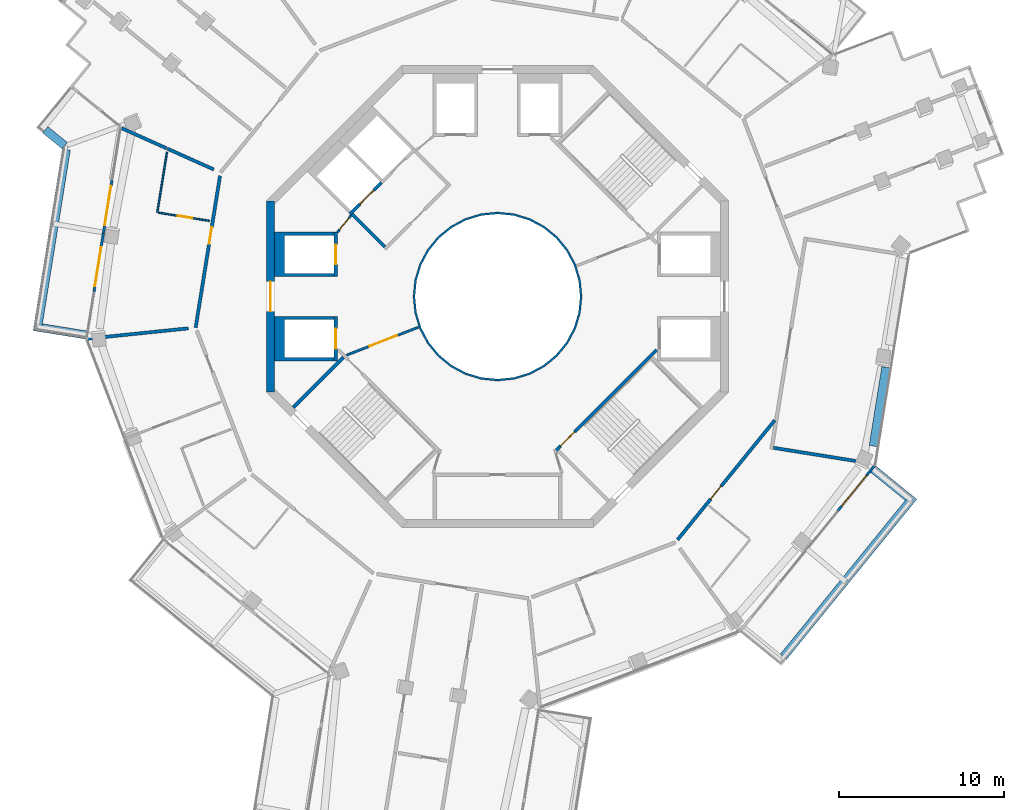
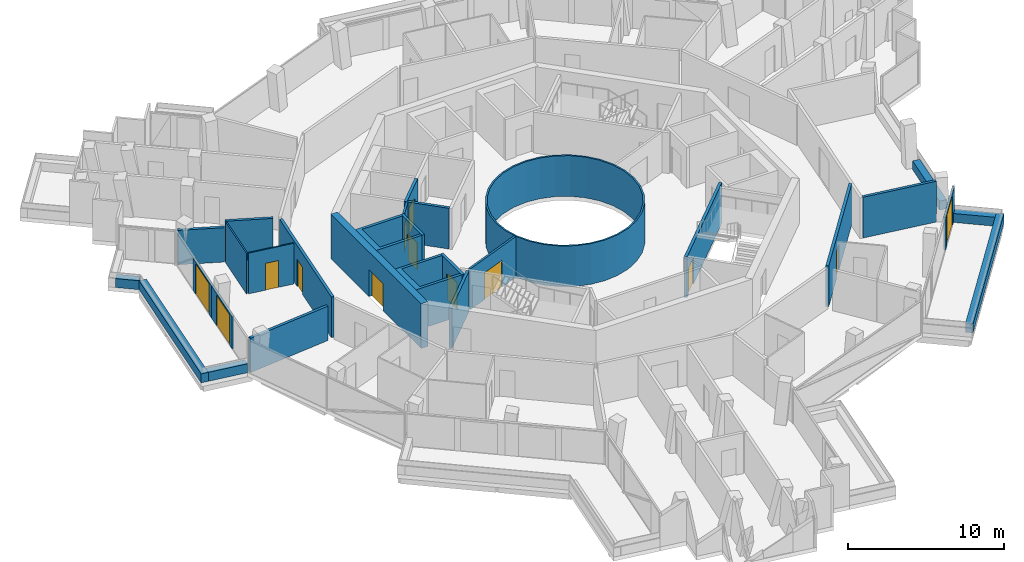
# One storey, part 17 of 23: 29 walls, 13 doors, 13 openings.
"""IFC4 building model written with IfcOpenShell, lengths in metres."""

from ifc_helpers import new_model, si_unit, direction, frame, frame_2d, origin, place, context, subcontext, project, spatial, polyline, rectangle, outline, extrude, material, layer, layer_set, type_object, element, fill, save


model = new_model("IFC4")

# Units and contexts
model_context = context("Model", 3, precision=1e-05, world=origin(), true_north=direction((0.0, 1.0)))
body_context = subcontext(model_context, "Body", "Model", "MODEL_VIEW")
ifc_project = project(units=[si_unit("LENGTHUNIT", "METRE"), si_unit("AREAUNIT", "SQUARE_METRE"), si_unit("VOLUMEUNIT", "CUBIC_METRE"), si_unit("PLANEANGLEUNIT", "RADIAN"), si_unit("MASSUNIT", "GRAM", prefix="KILO")], contexts=[model_context])

# Site, building, storey
site_placement = place(None, origin())
site = spatial("IfcSite", under=ifc_project, at=site_placement, CompositionType="ELEMENT")
building_placement = place(site_placement, origin())
building = spatial("IfcBuilding", under=site, at=building_placement, Name="Verdalira Terraces Hotel", CompositionType="ELEMENT")
storey_placement = place(building_placement, frame((0.0, 0.0, 241.0)))
storey = spatial("IfcBuildingStorey", under=building, at=storey_placement, Name="L59", CompositionType="ELEMENT", Elevation=241.0)

# Walls
ifc_material_1 = material(Name="Fire-resisting glass EI 180", Category="glass")
ifc_layer_1 = layer(ifc_material_1, 0.1201171875)
ifc_layer_set_1 = layer_set([ifc_layer_1], Name="Atrium fire screen 120 mm")
wall_type_1 = type_object("IfcWallType", Name="Atrium fire screen 120 mm", PredefinedType="SOLIDWALL", material=ifc_layer_set_1)
wall_1_placement = place(storey_placement, origin())
element("IfcWall", 1, at=wall_1_placement, inside=storey, type_object=wall_type_1, Name="Atrium fire screen", PredefinedType="SOLIDWALL", context=body_context, shape_type="SweptSolid", body=[
    extrude(outline(polyline([(5.021484, -0.998779), (4.730225, -1.959229), (4.25708, -2.844482), (3.620361, -3.620361), (2.844482, -4.25708), (1.959229, -4.730225), (0.998779, -5.021484), (0.0, -5.120117), (-0.998779, -5.021484), (-1.959229, -4.730225), (-2.844482, -4.25708), (-3.620361, -3.620361), (-4.25708, -2.844482), (-4.730225, -1.959229), (-5.021484, -0.998779), (-5.120117, 0.0), (-5.021484, 0.998779), (-4.730225, 1.959229), (-4.25708, 2.844482), (-3.620361, 3.620361), (-2.844482, 4.25708), (-1.959229, 4.730225), (-0.998779, 5.021484), (0.0, 5.120117), (0.998779, 5.021484), (1.959229, 4.730225), (2.844482, 4.25708), (3.620361, 3.620361), (4.25708, 2.844482), (4.730225, 1.959229), (5.021484, 0.998779), (5.120117, 0.0), (5.021484, -0.998779)]), holes=[polyline([(4.903809, 0.975586), (4.619385, 1.91333), (4.157227, 2.777832), (3.5354, 3.5354), (2.777832, 4.157227), (1.91333, 4.619385), (0.975586, 4.903809), (0.0, 5.0), (-0.975586, 4.903809), (-1.91333, 4.619385), (-2.777832, 4.157227), (-3.5354, 3.5354), (-4.157227, 2.777832), (-4.619385, 1.91333), (-4.903809, 0.975586), (-5.0, 0.0), (-4.903809, -0.975586), (-4.619385, -1.91333), (-4.157227, -2.777832), (-3.5354, -3.5354), (-2.777832, -4.157227), (-1.91333, -4.619385), (-0.975586, -4.903809), (0.0, -5.0), (0.975586, -4.903809), (1.91333, -4.619385), (2.777832, -4.157227), (3.5354, -3.5354), (4.157227, -2.777832), (4.619385, -1.91333), (4.903809, -0.975586), (5.0, 0.0), (4.903809, 0.975586)])]), origin(), (0.0, 0.0, 1.0), 3.189941),
])
ifc_material_2 = material(Name="Concrete C40", Category="concrete")
ifc_layer_2 = layer(ifc_material_2, 0.5)
ifc_layer_set_2 = layer_set([ifc_layer_2], Name="Balcony planter trough with tree")
wall_type_2 = type_object("IfcWallType", Name="Balcony planter trough with tree", PredefinedType="SOLIDWALL", material=ifc_layer_set_2)
wall_2_placement = place(storey_placement, frame((-27.39917, 10.102051, 0.0), z_axis=(0.0, 0.0, 1.0), x_axis=(0.775829891, -0.630942138, 0.0)))
element("IfcWall", 2, at=wall_2_placement, inside=storey, type_object=wall_type_2, Name="Balcony planter", PredefinedType="SOLIDWALL", context=body_context, shape_type="SweptSolid", body=[
    extrude(rectangle(XDim=1.524902, YDim=0.5, at=frame_2d((0.762451, 0.0))), origin(), (0.0, 0.0, 1.0), 0.699951),
])
wall_3_placement = place(storey_placement, frame((-26.126953, 8.90625, 0.0), z_axis=(0.0, 0.0, 1.0), x_axis=(-0.15849251, -0.98736018, 0.0)))
element("IfcWall", 3, at=wall_3_placement, inside=storey, type_object=wall_type_2, Name="Balcony planter", PredefinedType="SOLIDWALL", context=body_context, shape_type="SweptSolid", body=[
    extrude(rectangle(XDim=11.152344, YDim=0.5, at=frame_2d((5.576172, 0.0))), origin(), (0.0, 0.0, 1.0), 0.699951),
])
wall_4_placement = place(storey_placement, frame((-27.608154, -1.897949, 0.0), z_axis=(0.0, 0.0, 1.0), x_axis=(0.987347321, -0.158572593, 0.0)))
element("IfcWall", 4, at=wall_4_placement, inside=storey, type_object=wall_type_2, Name="Balcony planter", PredefinedType="SOLIDWALL", context=body_context, shape_type="SweptSolid", body=[
    extrude(rectangle(XDim=2.698975, YDim=0.5, at=frame_2d((1.349609, 0.0))), origin(), (0.0, 0.0, 1.0), 0.699951),
])
wall_5_placement = place(storey_placement, frame((17.323242, -21.822021, 0.0), z_axis=(0.0, 0.0, 1.0), x_axis=(0.63094623, 0.775826562, 0.0)))
element("IfcWall", 5, at=wall_5_placement, inside=storey, type_object=wall_type_2, Name="Balcony planter", PredefinedType="SOLIDWALL", context=body_context, shape_type="SweptSolid", body=[
    extrude(rectangle(XDim=12.500244, YDim=0.5, at=frame_2d((6.25, 0.0))), origin(), (0.0, 0.0, 1.0), 0.699951),
])
wall_6_placement = place(storey_placement, frame((24.858398, -12.1604, 0.0), z_axis=(0.0, 0.0, 1.0), x_axis=(-0.775840005, 0.6309297, 0.0)))
element("IfcWall", 6, at=wall_6_placement, inside=storey, type_object=wall_type_2, Name="Balcony planter", PredefinedType="SOLIDWALL", context=body_context, shape_type="SweptSolid", body=[
    extrude(rectangle(XDim=2.698975, YDim=0.5, at=frame_2d((1.349609, 0.0))), origin(), (0.0, 0.0, 1.0), 0.699951),
])
ifc_material_3 = material(Name="Moisture-resistant gypsum board partition")
ifc_layer_3 = layer(ifc_material_3, 0.10009765625)
ifc_layer_set_3 = layer_set([ifc_layer_3], Name="Bathroom partition 100 mm")
wall_type_3 = type_object("IfcWallType", Name="Bathroom partition 100 mm", PredefinedType="PARTITIONING", material=ifc_layer_set_3)
wall_7_placement = place(storey_placement, frame((-20.612305, 5.089844, 0.0), z_axis=(0.0, 0.0, 1.0), x_axis=(0.15852778, 0.987354517, 0.0)))
element("IfcWall", 7, at=wall_7_placement, inside=storey, type_object=wall_type_3, Name="Bathroom partition", PredefinedType="PARTITIONING", context=body_context, shape_type="SweptSolid", body=[
    extrude(rectangle(XDim=3.703857, YDim=0.100098, at=frame_2d((1.852051, 0.0))), origin(), (0.0, 0.0, 1.0), 3.189941),
])

# Wall, opening, door
wall_8_placement = place(storey_placement, frame((-20.513428, 5.073975, 0.0), z_axis=(0.0, 0.0, 1.0), x_axis=(0.987353495, -0.158534146, 0.0)))
wall_8 = element("IfcWall", 8, at=wall_8_placement, inside=storey, type_object=wall_type_3, Name="Bathroom partition", PredefinedType="PARTITIONING", context=body_context, shape_type="SweptSolid", body=[
    extrude(rectangle(XDim=3.100098, YDim=0.100098, at=frame_2d((1.550049, 0.0))), origin(), (0.0, 0.0, 1.0), 3.189941),
])
opening_1_placement = place(wall_8_placement, frame((1.149902, 0.0, 0.0)))
opening_1 = element("IfcOpeningElement", 9, at=opening_1_placement, cuts=wall_8, Name="Opening L59-105", PredefinedType="OPENING", context=body_context, shape_type="SweptSolid", body=[
    extrude(rectangle(XDim=0.899902, YDim=2.100098, at=frame_2d((0.449951, 1.050049))), frame((0.0, 0.060059, 0.0), z_axis=(0.0, -1.0, 0.0), x_axis=(1.0, 0.0, 0.0)), (0.0, 0.0, 1.0), 0.120117),
])
ifc_material_4 = material(Name="Timber door", Category="wood")
door_type_1 = type_object("IfcDoorType", Name="Bathroom door 900 x 2100", OperationType="NOTDEFINED", PredefinedType="DOOR", material=ifc_material_4)
door_1_placement = place(opening_1_placement, origin())
door_1 = element("IfcDoor", 10, at=door_1_placement, inside=storey, type_object=door_type_1, Name="Bathroom door 5902", OperationType="SINGLE_SWING_LEFT", OverallHeight=2.10009765625, OverallWidth=0.89990234375, PredefinedType="DOOR", context=body_context, shape_type="SweptSolid", body=[
    extrude(rectangle(XDim=0.899902, YDim=2.100098, at=frame_2d((0.449951, 1.050049))), frame((0.0, 0.024902, 0.0), z_axis=(0.0, -1.0, 0.0), x_axis=(1.0, 0.0, 0.0)), (0.0, 0.0, 1.0), 0.050049),
])
fill(opening_1, door_1)

# Wall
ifc_material_5 = material(Name="Concrete C50", Category="concrete")
ifc_layer_4 = layer(ifc_material_5, 0.199951171875)
ifc_layer_set_4 = layer_set([ifc_layer_4], Name="Core RC wall 200 C50")
wall_type_4 = type_object("IfcWallType", Name="Core RC wall 200 C50", PredefinedType="SOLIDWALL", material=ifc_layer_set_4)
wall_9_placement = place(storey_placement, origin())
element("IfcWall", 11, at=wall_9_placement, inside=storey, type_object=wall_type_4, Name="L59 shaft wall W1", PredefinedType="SOLIDWALL", context=body_context, shape_type="SweptSolid", body=[
    extrude(outline(polyline([(-13.5, 3.899902), (-9.899902, 3.899902), (-9.899902, 3.699951), (-12.899902, 3.699951), (-12.899902, 1.399902), (-9.899902, 1.399902), (-9.899902, 1.199951), (-13.5, 1.199951), (-13.5, 3.899902)])), origin(), (0.0, 0.0, 1.0), 3.189941),
])

# Wall, opening, door
wall_10_placement = place(storey_placement, frame((-9.800049, 1.199951, 0.0), z_axis=(0.0, 0.0, 1.0), x_axis=(0.0, 1.0, 0.0)))
wall_10 = element("IfcWall", 12, at=wall_10_placement, inside=storey, type_object=wall_type_4, Name="L59 shaft front wall W1", PredefinedType="SOLIDWALL", context=body_context, shape_type="SweptSolid", body=[
    extrude(rectangle(XDim=2.699951, YDim=0.199951, at=frame_2d((1.350098, 0.0))), origin(), (0.0, 0.0, 1.0), 3.189941),
])
opening_2_placement = place(wall_10_placement, frame((0.75, 0.0, 0.0)))
opening_2 = element("IfcOpeningElement", 13, at=opening_2_placement, cuts=wall_10, Name="Opening LD-L59-806", PredefinedType="OPENING", context=body_context, shape_type="SweptSolid", body=[
    extrude(rectangle(XDim=1.199951, YDim=2.100098, at=frame_2d((0.600098, 1.050049))), frame((0.0, 0.109863, 0.0), z_axis=(0.0, -1.0, 0.0), x_axis=(1.0, 0.0, 0.0)), (0.0, 0.0, 1.0), 0.219971),
])
ifc_material_6 = material(Name="Stainless steel", Category="steel")
door_type_2 = type_object("IfcDoorType", Name="Landing door 1200 x 2100", OperationType="NOTDEFINED", PredefinedType="DOOR", material=ifc_material_6)
door_2_placement = place(opening_2_placement, origin())
door_2 = element("IfcDoor", 14, at=door_2_placement, inside=storey, type_object=door_type_2, Name="Lift landing door HR5 L59", OperationType="DOUBLE_DOOR_SLIDING", OverallHeight=2.10009765625, OverallWidth=1.199951171875, PredefinedType="DOOR", context=body_context, shape_type="SweptSolid", body=[
    extrude(rectangle(XDim=1.199951, YDim=2.100098, at=frame_2d((0.600098, 1.050049))), frame((0.0, 0.024902, 0.0), z_axis=(0.0, -1.0, 0.0), x_axis=(1.0, 0.0, 0.0)), (0.0, 0.0, 1.0), 0.050049),
])
fill(opening_2, door_2)

# Wall
wall_11_placement = place(storey_placement, origin())
element("IfcWall", 15, at=wall_11_placement, inside=storey, type_object=wall_type_4, Name="L59 shaft wall W2", PredefinedType="SOLIDWALL", context=body_context, shape_type="SweptSolid", body=[
    extrude(outline(polyline([(-13.5, -3.899902), (-13.5, -1.199951), (-9.899902, -1.199951), (-9.899902, -1.399902), (-12.899902, -1.399902), (-12.899902, -3.699951), (-9.899902, -3.699951), (-9.899902, -3.899902), (-13.5, -3.899902)])), origin(), (0.0, 0.0, 1.0), 3.189941),
])

# Wall, opening, door
wall_12_placement = place(storey_placement, frame((-9.800049, -1.199951, 0.0), z_axis=(0.0, 0.0, 1.0), x_axis=(0.0, -1.0, 0.0)))
wall_12 = element("IfcWall", 16, at=wall_12_placement, inside=storey, type_object=wall_type_4, Name="L59 shaft front wall W2", PredefinedType="SOLIDWALL", context=body_context, shape_type="SweptSolid", body=[
    extrude(rectangle(XDim=2.699951, YDim=0.199951, at=frame_2d((1.350098, 0.0))), origin(), (0.0, 0.0, 1.0), 3.189941),
])
opening_3_placement = place(wall_12_placement, frame((0.75, 0.0, 0.0)))
opening_3 = element("IfcOpeningElement", 17, at=opening_3_placement, cuts=wall_12, Name="Opening LD-L59-807", PredefinedType="OPENING", context=body_context, shape_type="SweptSolid", body=[
    extrude(rectangle(XDim=1.199951, YDim=2.100098, at=frame_2d((0.600098, 1.050049))), frame((0.0, 0.109863, 0.0), z_axis=(0.0, -1.0, 0.0), x_axis=(1.0, 0.0, 0.0)), (0.0, 0.0, 1.0), 0.219971),
])
door_3_placement = place(opening_3_placement, origin())
door_3 = element("IfcDoor", 18, at=door_3_placement, inside=storey, type_object=door_type_2, Name="Lift landing door HR6 L59", OperationType="DOUBLE_DOOR_SLIDING", OverallHeight=2.10009765625, OverallWidth=1.199951171875, PredefinedType="DOOR", context=body_context, shape_type="SweptSolid", body=[
    extrude(rectangle(XDim=1.199951, YDim=2.100098, at=frame_2d((0.600098, 1.050049))), frame((0.0, 0.024902, 0.0), z_axis=(0.0, -1.0, 0.0), x_axis=(1.0, 0.0, 0.0)), (0.0, 0.0, 1.0), 0.050049),
])
fill(opening_3, door_3)

wall_13_placement = place(storey_placement, frame((-7.035645, 6.894287, 0.0), z_axis=(0.0, 0.0, 1.0), x_axis=(-0.707106781, -0.707106781, 0.0)))
wall_13 = element("IfcWall", 19, at=wall_13_placement, inside=storey, type_object=wall_type_4, Name="L59 shaft front wall F2", PredefinedType="SOLIDWALL", context=body_context, shape_type="SweptSolid", body=[
    extrude(rectangle(XDim=2.699951, YDim=0.199951, at=frame_2d((1.350098, 0.0))), origin(), (0.0, 0.0, 1.0), 3.189941),
])
opening_4_placement = place(wall_13_placement, frame((0.649902, 0.0, 0.0)))
opening_4 = element("IfcOpeningElement", 20, at=opening_4_placement, cuts=wall_13, Name="Opening LD-L59-809", PredefinedType="OPENING", context=body_context, shape_type="SweptSolid", body=[
    extrude(rectangle(XDim=1.199951, YDim=2.100098, at=frame_2d((0.600098, 1.050049))), frame((0.0, 0.109863, 0.0), z_axis=(0.0, -1.0, 0.0), x_axis=(1.0, 0.0, 0.0)), (0.0, 0.0, 1.0), 0.219971),
])
door_4_placement = place(opening_4_placement, origin())
door_4 = element("IfcDoor", 21, at=door_4_placement, inside=storey, type_object=door_type_2, Name="Lift landing door LF12 L59", OperationType="DOUBLE_DOOR_SLIDING", OverallHeight=2.10009765625, OverallWidth=1.199951171875, PredefinedType="DOOR", context=body_context, shape_type="SweptSolid", body=[
    extrude(rectangle(XDim=1.199951, YDim=2.100098, at=frame_2d((0.600098, 1.050049))), frame((0.0, 0.024902, 0.0), z_axis=(0.0, -1.0, 0.0), x_axis=(1.0, 0.0, 0.0)), (0.0, 0.0, 1.0), 0.050049),
])
fill(opening_4, door_4)

# Wall
wall_14_placement = place(storey_placement, frame((-9.33374, -3.677002, 0.0), z_axis=(0.0, 0.0, 1.0), x_axis=(-0.707135168, -0.707078393, 0.0)))
element("IfcWall", 22, at=wall_14_placement, inside=storey, type_object=wall_type_4, Name="L59 stair ST2 end wall 1", PredefinedType="SOLIDWALL", context=body_context, shape_type="SweptSolid", body=[
    extrude(rectangle(XDim=4.300049, YDim=0.199951, at=frame_2d((2.149902, 0.0))), origin(), (0.0, 0.0, 1.0), 3.189941),
])

# Wall, opening, door
wall_15_placement = place(storey_placement, frame((9.629395, -3.23999, 0.0), z_axis=(0.0, 0.0, 1.0), x_axis=(-0.707120946, -0.707092617, 0.0)))
wall_15 = element("IfcWall", 23, at=wall_15_placement, inside=storey, type_object=wall_type_4, Name="L59 stair ST3 front wall", PredefinedType="SOLIDWALL", context=body_context, shape_type="SweptSolid", body=[
    extrude(rectangle(XDim=8.61792, YDim=0.199951, at=frame_2d((4.309082, 0.0))), origin(), (0.0, 0.0, 1.0), 3.189941),
])
opening_5_placement = place(wall_15_placement, frame((7.017822, 0.0, 0.0)))
opening_5 = element("IfcOpeningElement", 24, at=opening_5_placement, cuts=wall_15, Name="Opening L59-812", PredefinedType="OPENING", context=body_context, shape_type="SweptSolid", body=[
    extrude(rectangle(XDim=1.199951, YDim=2.100098, at=frame_2d((0.600098, 1.050049))), frame((0.0, 0.109863, 0.0), z_axis=(0.0, -1.0, 0.0), x_axis=(1.0, 0.0, 0.0)), (0.0, 0.0, 1.0), 0.219971),
])
ifc_material_7 = material(Name="Steel fire door", Category="steel")
door_type_3 = type_object("IfcDoorType", Name="Stair door 1200 x 2100", OperationType="NOTDEFINED", PredefinedType="DOOR", material=ifc_material_7)
door_5_placement = place(opening_5_placement, origin())
door_5 = element("IfcDoor", 25, at=door_5_placement, inside=storey, type_object=door_type_3, Name="Stair door ST3 L59", OperationType="SINGLE_SWING_RIGHT", OverallHeight=2.10009765625, OverallWidth=1.199951171875, PredefinedType="DOOR", context=body_context, shape_type="SweptSolid", body=[
    extrude(rectangle(XDim=1.199951, YDim=2.100098, at=frame_2d((0.600098, 1.050049))), frame((0.0, 0.024902, 0.0), z_axis=(0.0, -1.0, 0.0), x_axis=(1.0, 0.0, 0.0)), (0.0, 0.0, 1.0), 0.050049),
])
fill(opening_5, door_5)

# Wall
wall_16_placement = place(storey_placement, frame((-6.823486, 3.005127, 0.0), z_axis=(0.0, 0.0, 1.0), x_axis=(-0.707106781, 0.707106781, 0.0)))
element("IfcWall", 26, at=wall_16_placement, inside=storey, type_object=wall_type_4, Name="L59 fire lobby wall", PredefinedType="SOLIDWALL", context=body_context, shape_type="SweptSolid", body=[
    extrude(rectangle(XDim=2.800049, YDim=0.199951, at=frame_2d((1.399902, 0.0))), origin(), (0.0, 0.0, 1.0), 3.189941),
])

# Wall, opening, door
ifc_material_8 = material(Name="Gypsum board partition")
ifc_layer_5 = layer(ifc_material_8, 0.14990234375)
ifc_layer_set_5 = layer_set([ifc_layer_5], Name="Core partition 150 mm")
wall_type_5 = type_object("IfcWallType", Name="Core partition 150 mm", PredefinedType="PARTITIONING", material=ifc_layer_set_5)
wall_17_placement = place(storey_placement, frame((-8.874268, 4.914307, 0.0), z_axis=(0.0, 0.0, 1.0), x_axis=(-0.631274009, -0.775559878, 0.0)))
wall_17 = element("IfcWall", 27, at=wall_17_placement, inside=storey, type_object=wall_type_5, Name="Room partition L59", PredefinedType="PARTITIONING", context=body_context, shape_type="SweptSolid", body=[
    extrude(rectangle(XDim=1.307861, YDim=0.149902, at=frame_2d((0.653809, 0.0))), origin(), (0.0, 0.0, 1.0), 3.189941),
])
opening_6_placement = place(wall_17_placement, frame((0.204102, 0.0, 0.0)))
opening_6 = element("IfcOpeningElement", 28, at=opening_6_placement, cuts=wall_17, Name="Opening L59-821", PredefinedType="OPENING", context=body_context, shape_type="SweptSolid", body=[
    extrude(rectangle(XDim=0.899902, YDim=2.100098, at=frame_2d((0.449951, 1.050049))), frame((0.0, 0.084961, 0.0), z_axis=(0.0, -1.0, 0.0), x_axis=(1.0, 0.0, 0.0)), (0.0, 0.0, 1.0), 0.169922),
])
ifc_material_9 = material(Name="Steel fire door", Category="steel")
door_type_4 = type_object("IfcDoorType", Name="Core room door 900 x 2100", OperationType="NOTDEFINED", PredefinedType="DOOR", material=ifc_material_9)
door_6_placement = place(opening_6_placement, origin())
door_6 = element("IfcDoor", 29, at=door_6_placement, inside=storey, type_object=door_type_4, Name="Door L59 room3", OperationType="SINGLE_SWING_LEFT", OverallHeight=2.10009765625, OverallWidth=0.89990234375, PredefinedType="DOOR", context=body_context, shape_type="SweptSolid", body=[
    extrude(rectangle(XDim=0.899902, YDim=2.100098, at=frame_2d((0.449951, 1.050049))), frame((0.0, 0.024902, 0.0), z_axis=(0.0, -1.0, 0.0), x_axis=(1.0, 0.0, 0.0)), (0.0, 0.0, 1.0), 0.050049),
])
fill(opening_6, door_6)

wall_18_placement = place(storey_placement, frame((-4.781982, -1.857178, 0.0), z_axis=(0.0, 0.0, 1.0), x_axis=(-0.932155279, -0.362058746, 0.0)))
wall_18 = element("IfcWall", 30, at=wall_18_placement, inside=storey, type_object=wall_type_5, Name="Gallery fire partition L59", PredefinedType="PARTITIONING", context=body_context, shape_type="SweptSolid", body=[
    extrude(rectangle(XDim=4.682373, YDim=0.149902, at=frame_2d((2.341309, 0.0))), origin(), (0.0, 0.0, 1.0), 3.189941),
])
opening_7_placement = place(wall_18_placement, frame((1.399902, 0.0, 0.0)))
opening_7 = element("IfcOpeningElement", 31, at=opening_7_placement, cuts=wall_18, Name="Opening L59-825", PredefinedType="OPENING", context=body_context, shape_type="SweptSolid", body=[
    extrude(rectangle(XDim=1.800049, YDim=2.100098, at=frame_2d((0.899902, 1.050049))), frame((0.0, 0.084961, 0.0), z_axis=(0.0, -1.0, 0.0), x_axis=(1.0, 0.0, 0.0)), (0.0, 0.0, 1.0), 0.169922),
])
ifc_material_10 = material(Name="Steel fire door", Category="steel")
door_type_5 = type_object("IfcDoorType", Name="Gallery fire door pair 1800 x 2100", OperationType="NOTDEFINED", PredefinedType="DOOR", material=ifc_material_10)
door_7_placement = place(opening_7_placement, origin())
door_7 = element("IfcDoor", 32, at=door_7_placement, inside=storey, type_object=door_type_5, Name="Door L59 split4", OperationType="DOUBLE_DOOR_SINGLE_SWING", OverallHeight=2.10009765625, OverallWidth=1.800048828125, PredefinedType="DOOR", context=body_context, shape_type="SweptSolid", body=[
    extrude(rectangle(XDim=1.800049, YDim=2.100098, at=frame_2d((0.899902, 1.050049))), frame((0.0, 0.024902, 0.0), z_axis=(0.0, -1.0, 0.0), x_axis=(1.0, 0.0, 0.0)), (0.0, 0.0, 1.0), 0.050049),
])
fill(opening_7, door_7)

ifc_material_11 = material(Name="Concrete C50", Category="concrete")
ifc_layer_6 = layer(ifc_material_11, 0.5)
ifc_layer_set_6 = layer_set([ifc_layer_6], Name="Core wall 500 C50")
wall_type_6 = type_object("IfcWallType", Name="Core wall 500 C50", PredefinedType="SHEAR", material=ifc_layer_set_6)
wall_19_placement = place(storey_placement, frame((-13.75, 5.799072, 0.0), z_axis=(0.0, 0.0, 1.0), x_axis=(0.0, -1.0, 0.0)))
wall_19 = element("IfcWall", 33, at=wall_19_placement, inside=storey, type_object=wall_type_6, Name="Core wall CW-L59-5", PredefinedType="SHEAR", context=body_context, shape_type="SweptSolid", body=[
    extrude(rectangle(XDim=11.598145, YDim=0.5, at=frame_2d((5.799072, 0.0))), origin(), (0.0, 0.0, 1.0), 3.5),
])
opening_8_placement = place(wall_19_placement, frame((4.898926, 0.0, 0.0)))
opening_8 = element("IfcOpeningElement", 34, at=opening_8_placement, cuts=wall_19, Name="Opening L59-815", PredefinedType="OPENING", context=body_context, shape_type="SweptSolid", body=[
    extrude(rectangle(XDim=1.800049, YDim=2.100098, at=frame_2d((0.899902, 1.050049))), frame((0.0, 0.26001, 0.0), z_axis=(0.0, -1.0, 0.0), x_axis=(1.0, 0.0, 0.0)), (0.0, 0.0, 1.0), 0.52002),
])
ifc_material_12 = material(Name="Steel fire door", Category="steel")
door_type_6 = type_object("IfcDoorType", Name="Core entry door pair 1800 x 2100", OperationType="NOTDEFINED", PredefinedType="DOOR", material=ifc_material_12)
door_8_placement = place(opening_8_placement, origin())
door_8 = element("IfcDoor", 35, at=door_8_placement, inside=storey, type_object=door_type_6, Name="Core entry door L59 4", OperationType="DOUBLE_DOOR_SINGLE_SWING", OverallHeight=2.10009765625, OverallWidth=1.800048828125, PredefinedType="DOOR", context=body_context, shape_type="SweptSolid", body=[
    extrude(rectangle(XDim=1.800049, YDim=2.100098, at=frame_2d((0.899902, 1.050049))), frame((0.0, 0.024902, 0.0), z_axis=(0.0, -1.0, 0.0), x_axis=(1.0, 0.0, 0.0)), (0.0, 0.0, 1.0), 0.050049),
])
fill(opening_8, door_8)

# Walls
ifc_material_13 = material(Name="Fire-rated gypsum board wall")
ifc_layer_7 = layer(ifc_material_13, 0.199951171875)
ifc_layer_set_7 = layer_set([ifc_layer_7], Name="Demising wall 200 mm")
wall_type_7 = type_object("IfcWallType", Name="Demising wall 200 mm", PredefinedType="SOLIDWALL", material=ifc_layer_set_7)
wall_20_placement = place(storey_placement, frame((-17.187744, 7.695801, 0.0), z_axis=(0.0, 0.0, 1.0), x_axis=(-0.91271463, 0.408597606, 0.0)))
element("IfcWall", 36, at=wall_20_placement, inside=storey, type_object=wall_type_7, Name="Demising wall", PredefinedType="SOLIDWALL", context=body_context, shape_type="SweptSolid", body=[
    extrude(rectangle(XDim=3.074707, YDim=0.199951, at=frame_2d((1.537354, 0.0))), origin(), (0.0, 0.0, 1.0), 3.189941),
])
ifc_material_14 = material(Name="Fire-rated gypsum board wall")
ifc_layer_8 = layer(ifc_material_14, 0.199951171875)
ifc_layer_set_8 = layer_set([ifc_layer_8], Name="Demising wall 200 mm to beam soffit")
wall_type_8 = type_object("IfcWallType", Name="Demising wall 200 mm to beam soffit", PredefinedType="SOLIDWALL", material=ifc_layer_set_8)
wall_21_placement = place(storey_placement, frame((-18.73291, -1.929199, 0.0), z_axis=(0.0, 0.0, 1.0), x_axis=(-0.994739183, -0.102440021, 0.0)))
element("IfcWall", 37, at=wall_21_placement, inside=storey, type_object=wall_type_8, Name="Demising wall", PredefinedType="SOLIDWALL", context=body_context, shape_type="SweptSolid", body=[
    extrude(rectangle(XDim=6.13208, YDim=0.199951, at=frame_2d((3.065918, 0.0))), origin(), (0.0, 0.0, 1.0), 2.689941),
])
wall_22_placement = place(storey_placement, frame((-20.035889, 8.970947, 0.0), z_axis=(0.0, 0.0, 1.0), x_axis=(-0.912711653, 0.408604257, 0.0)))
element("IfcWall", 38, at=wall_22_placement, inside=storey, type_object=wall_type_8, Name="Demising wall", PredefinedType="SOLIDWALL", context=body_context, shape_type="SweptSolid", body=[
    extrude(rectangle(XDim=3.011475, YDim=0.199951, at=frame_2d((1.505859, 0.0))), origin(), (0.0, 0.0, 1.0), 2.689941),
])

# Wall, opening, door
ifc_material_15 = material(Name="Fire-rated gypsum board wall")
ifc_layer_9 = layer(ifc_material_15, 0.199951171875)
ifc_layer_set_9 = layer_set([ifc_layer_9], Name="Guest corridor wall 200 mm")
wall_type_9 = type_object("IfcWallType", Name="Guest corridor wall 200 mm", PredefinedType="SOLIDWALL", material=ifc_layer_set_9)
wall_23_placement = place(storey_placement, frame((-18.288086, -1.883301, 0.0), z_axis=(0.0, 0.0, 1.0), x_axis=(0.158514786, 0.987356604, 0.0)))
wall_23 = element("IfcWall", 39, at=wall_23_placement, inside=storey, type_object=wall_type_9, Name="Guest corridor wall", PredefinedType="SOLIDWALL", context=body_context, shape_type="SweptSolid", body=[
    extrude(rectangle(XDim=9.316406, YDim=0.199951, at=frame_2d((4.658203, 0.0))), origin(), (0.0, 0.0, 1.0), 3.189941),
])
opening_9_placement = place(wall_23_placement, frame((5.149902, 0.0, 0.0)))
opening_9 = element("IfcOpeningElement", 40, at=opening_9_placement, cuts=wall_23, Name="Opening L59-104", PredefinedType="OPENING", context=body_context, shape_type="SweptSolid", body=[
    extrude(rectangle(XDim=1.0, YDim=2.100098, at=frame_2d((0.5, 1.050049))), frame((0.0, 0.109863, 0.0), z_axis=(0.0, -1.0, 0.0), x_axis=(1.0, 0.0, 0.0)), (0.0, 0.0, 1.0), 0.219971),
])
ifc_material_16 = material(Name="Timber fire door", Category="wood")
door_type_7 = type_object("IfcDoorType", Name="Guest entry door 1000 x 2100", OperationType="NOTDEFINED", PredefinedType="DOOR", material=ifc_material_16)
door_9_placement = place(opening_9_placement, origin())
door_9 = element("IfcDoor", 41, at=door_9_placement, inside=storey, type_object=door_type_7, Name="Guest entry door 5902", OperationType="SINGLE_SWING_LEFT", OverallHeight=2.10009765625, OverallWidth=1.0, PredefinedType="DOOR", context=body_context, shape_type="SweptSolid", body=[
    extrude(rectangle(XDim=1.0, YDim=2.100098, at=frame_2d((0.5, 1.050049))), frame((0.0, 0.024902, 0.0), z_axis=(0.0, -1.0, 0.0), x_axis=(1.0, 0.0, 0.0)), (0.0, 0.0, 1.0), 0.050049),
])
fill(opening_9, door_9)

wall_24_placement = place(storey_placement, frame((16.792236, -7.497314, 0.0), z_axis=(0.0, 0.0, 1.0), x_axis=(-0.630941046, -0.775830778, 0.0)))
wall_24 = element("IfcWall", 42, at=wall_24_placement, inside=storey, type_object=wall_type_9, Name="Guest corridor wall", PredefinedType="SOLIDWALL", context=body_context, shape_type="SweptSolid", body=[
    extrude(rectangle(XDim=9.33667, YDim=0.199951, at=frame_2d((4.668457, 0.0))), origin(), (0.0, 0.0, 1.0), 3.189941),
])
opening_10_placement = place(wall_24_placement, frame((5.149902, 0.0, 0.0)))
opening_10 = element("IfcOpeningElement", 43, at=opening_10_placement, cuts=wall_24, Name="Opening L59-117", PredefinedType="OPENING", context=body_context, shape_type="SweptSolid", body=[
    extrude(rectangle(XDim=1.0, YDim=2.100098, at=frame_2d((0.5, 1.050049))), frame((0.0, 0.109863, 0.0), z_axis=(0.0, -1.0, 0.0), x_axis=(1.0, 0.0, 0.0)), (0.0, 0.0, 1.0), 0.219971),
])
door_10_placement = place(opening_10_placement, origin())
door_10 = element("IfcDoor", 44, at=door_10_placement, inside=storey, type_object=door_type_7, Name="Guest entry door 5907", OperationType="SINGLE_SWING_LEFT", OverallHeight=2.10009765625, OverallWidth=1.0, PredefinedType="DOOR", context=body_context, shape_type="SweptSolid", body=[
    extrude(rectangle(XDim=1.0, YDim=2.100098, at=frame_2d((0.5, 1.050049))), frame((0.0, 0.024902, 0.0), z_axis=(0.0, -1.0, 0.0), x_axis=(1.0, 0.0, 0.0)), (0.0, 0.0, 1.0), 0.050049),
])
fill(opening_10, door_10)

# Walls
ifc_material_17 = material(Name="Terracotta cladding", Category="masonry")
ifc_layer_10 = layer(ifc_material_17, 0.199951171875)
ifc_layer_set_10 = layer_set([ifc_layer_10], Name="Loggia back wall 200")
wall_type_10 = type_object("IfcWallType", Name="Loggia back wall 200", PredefinedType="SOLIDWALL", material=ifc_layer_set_10)
wall_25_placement = place(storey_placement, frame((21.706787, -9.966553, 0.0), z_axis=(0.0, 0.0, 1.0), x_axis=(-0.987359411, 0.158497296, 0.0)))
element("IfcWall", 45, at=wall_25_placement, inside=storey, type_object=wall_type_10, Name="Loggia side wall", PredefinedType="SOLIDWALL", context=body_context, shape_type="SweptSolid", body=[
    extrude(rectangle(XDim=5.053955, YDim=0.199951, at=frame_2d((2.526855, 0.0))), origin(), (0.0, 0.0, 1.0), 3.189941),
])
ifc_material_18 = material(Name="Concrete C40", Category="concrete")
ifc_layer_11 = layer(ifc_material_18, 0.5)
ifc_layer_set_11 = layer_set([ifc_layer_11], Name="Loggia planter trough with tree")
wall_type_11 = type_object("IfcWallType", Name="Loggia planter trough with tree", PredefinedType="SOLIDWALL", material=ifc_layer_set_11)
wall_26_placement = place(storey_placement, frame((22.760254, -9.058838, 0.0), z_axis=(0.0, 0.0, 1.0), x_axis=(0.158494452, 0.987359868, 0.0)))
element("IfcWall", 46, at=wall_26_placement, inside=storey, type_object=wall_type_11, Name="Loggia planter", PredefinedType="SOLIDWALL", context=body_context, shape_type="SweptSolid", body=[
    extrude(rectangle(XDim=4.83667, YDim=0.5, at=frame_2d((2.418457, 0.0))), origin(), (0.0, 0.0, 1.0), 0.699951),
])

# Wall, opening, door
ifc_material_19 = material(Name="Terracotta cladding", Category="masonry")
ifc_layer_12 = layer(ifc_material_19, 0.14990234375)
ifc_layer_set_12 = layer_set([ifc_layer_12], Name="Terracotta door pier 150")
wall_type_12 = type_object("IfcWallType", Name="Terracotta door pier 150", PredefinedType="SOLIDWALL", material=ifc_layer_set_12)
wall_27_placement = place(storey_placement, frame((-23.354492, 7.091309, 0.0), z_axis=(0.0, 0.0, 1.0), x_axis=(-0.158541584, -0.987352301, 0.0)))
wall_27 = element("IfcWall", 47, at=wall_27_placement, inside=storey, type_object=wall_type_12, Name="Terracotta door pier", PredefinedType="SOLIDWALL", context=body_context, shape_type="SweptSolid", body=[
    extrude(rectangle(XDim=3.300049, YDim=0.149902, at=frame_2d((1.649902, 0.0))), origin(), (0.0, 0.0, 1.0), 2.524902),
])
opening_11_placement = place(wall_27_placement, frame((0.399902, 0.0, 0.0)))
opening_11 = element("IfcOpeningElement", 48, at=opening_11_placement, cuts=wall_27, Name="Opening L59-B04", PredefinedType="OPENING", context=body_context, shape_type="SweptSolid", body=[
    extrude(rectangle(XDim=2.399902, YDim=2.399902, at=frame_2d((1.199951, 1.199951))), frame((0.0, 0.084961, 0.0), z_axis=(0.0, -1.0, 0.0), x_axis=(1.0, 0.0, 0.0)), (0.0, 0.0, 1.0), 0.169922),
])
ifc_material_20 = material(Name="Clear glass", Category="glass")
door_type_8 = type_object("IfcDoorType", Name="Balcony sliding door 2400x2400", OperationType="NOTDEFINED", PredefinedType="DOOR", material=ifc_material_20)
door_11_placement = place(opening_11_placement, origin())
door_11 = element("IfcDoor", 49, at=door_11_placement, inside=storey, type_object=door_type_8, Name="Balcony sliding door", OperationType="SLIDING_TO_RIGHT", OverallHeight=2.39990234375, OverallWidth=2.39990234375, PredefinedType="DOOR", context=body_context, shape_type="SweptSolid", body=[
    extrude(rectangle(XDim=2.399902, YDim=2.399902, at=frame_2d((1.199951, 1.199951))), frame((0.0, 0.024902, 0.0), z_axis=(0.0, -1.0, 0.0), x_axis=(1.0, 0.0, 0.0)), (0.0, 0.0, 1.0), 0.050049),
])
fill(opening_11, door_11)

wall_28_placement = place(storey_placement, frame((-23.877686, 3.833008, 0.0), z_axis=(0.0, 0.0, 1.0), x_axis=(-0.158502817, -0.987358525, 0.0)))
wall_28 = element("IfcWall", 50, at=wall_28_placement, inside=storey, type_object=wall_type_12, Name="Terracotta door pier", PredefinedType="SOLIDWALL", context=body_context, shape_type="SweptSolid", body=[
    extrude(rectangle(XDim=3.661377, YDim=0.149902, at=frame_2d((1.830566, 0.0))), origin(), (0.0, 0.0, 1.0), 2.524902),
])
opening_12_placement = place(wall_28_placement, frame((0.861328, 0.0, 0.0)))
opening_12 = element("IfcOpeningElement", 51, at=opening_12_placement, cuts=wall_28, Name="Opening L59-B05", PredefinedType="OPENING", context=body_context, shape_type="SweptSolid", body=[
    extrude(rectangle(XDim=2.399902, YDim=2.399902, at=frame_2d((1.199951, 1.199951))), frame((0.0, 0.084961, 0.0), z_axis=(0.0, -1.0, 0.0), x_axis=(1.0, 0.0, 0.0)), (0.0, 0.0, 1.0), 0.169922),
])
door_12_placement = place(opening_12_placement, origin())
door_12 = element("IfcDoor", 52, at=door_12_placement, inside=storey, type_object=door_type_8, Name="Balcony sliding door", OperationType="SLIDING_TO_LEFT", OverallHeight=2.39990234375, OverallWidth=2.39990234375, PredefinedType="DOOR", context=body_context, shape_type="SweptSolid", body=[
    extrude(rectangle(XDim=2.399902, YDim=2.399902, at=frame_2d((1.199951, 1.199951))), frame((0.0, 0.024902, 0.0), z_axis=(0.0, -1.0, 0.0), x_axis=(1.0, 0.0, 0.0)), (0.0, 0.0, 1.0), 0.050049),
])
fill(opening_12, door_12)

wall_29_placement = place(storey_placement, frame((20.589111, -13.011719, 0.0), z_axis=(0.0, 0.0, 1.0), x_axis=(0.630958196, 0.77581683, 0.0)))
wall_29 = element("IfcWall", 53, at=wall_29_placement, inside=storey, type_object=wall_type_12, Name="Terracotta door pier", PredefinedType="SOLIDWALL", context=body_context, shape_type="SweptSolid", body=[
    extrude(rectangle(XDim=3.544434, YDim=0.149902, at=frame_2d((1.772217, 0.0))), origin(), (0.0, 0.0, 1.0), 2.524902),
])
opening_13_placement = place(wall_29_placement, frame((0.399902, 0.0, 0.0)))
opening_13 = element("IfcOpeningElement", 54, at=opening_13_placement, cuts=wall_29, Name="Opening L59-B11", PredefinedType="OPENING", context=body_context, shape_type="SweptSolid", body=[
    extrude(rectangle(XDim=2.399902, YDim=2.399902, at=frame_2d((1.199951, 1.199951))), frame((0.0, 0.084961, 0.0), z_axis=(0.0, -1.0, 0.0), x_axis=(1.0, 0.0, 0.0)), (0.0, 0.0, 1.0), 0.169922),
])
door_13_placement = place(opening_13_placement, origin())
door_13 = element("IfcDoor", 55, at=door_13_placement, inside=storey, type_object=door_type_8, Name="Balcony sliding door", OperationType="SLIDING_TO_RIGHT", OverallHeight=2.39990234375, OverallWidth=2.39990234375, PredefinedType="DOOR", context=body_context, shape_type="SweptSolid", body=[
    extrude(rectangle(XDim=2.399902, YDim=2.399902, at=frame_2d((1.199951, 1.199951))), frame((0.0, 0.024902, 0.0), z_axis=(0.0, -1.0, 0.0), x_axis=(1.0, 0.0, 0.0)), (0.0, 0.0, 1.0), 0.050049),
])
fill(opening_13, door_13)

save(model, "model.ifc")
